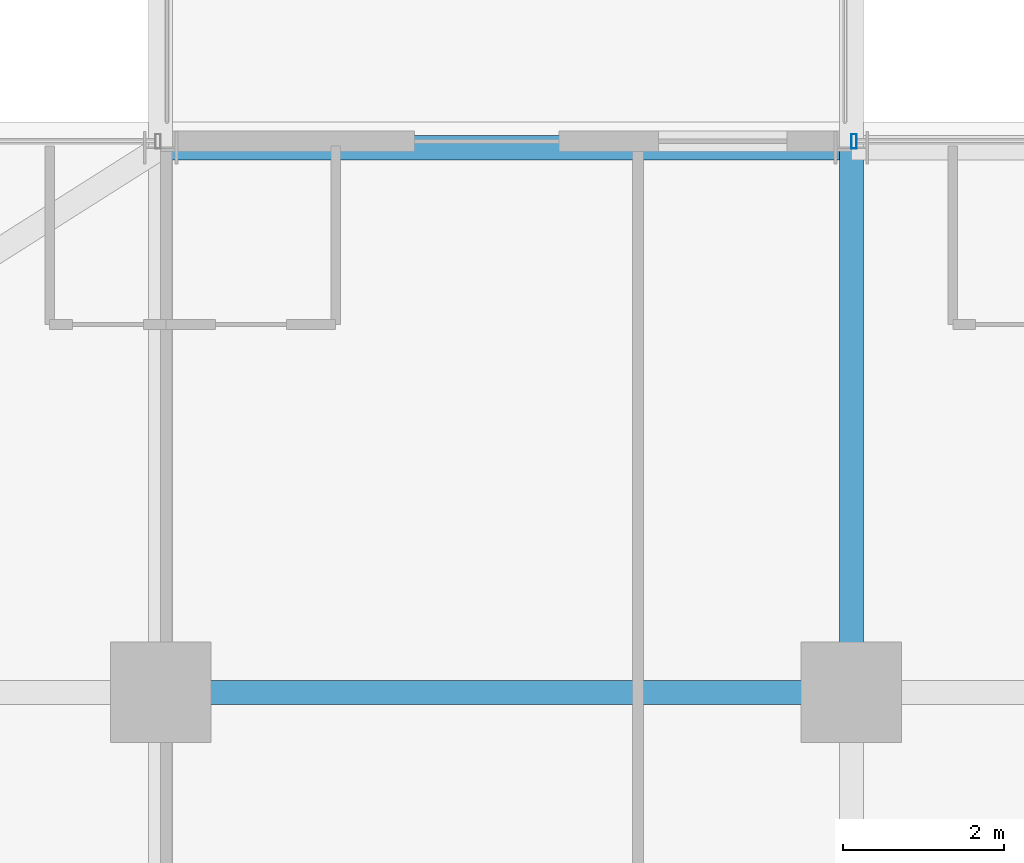
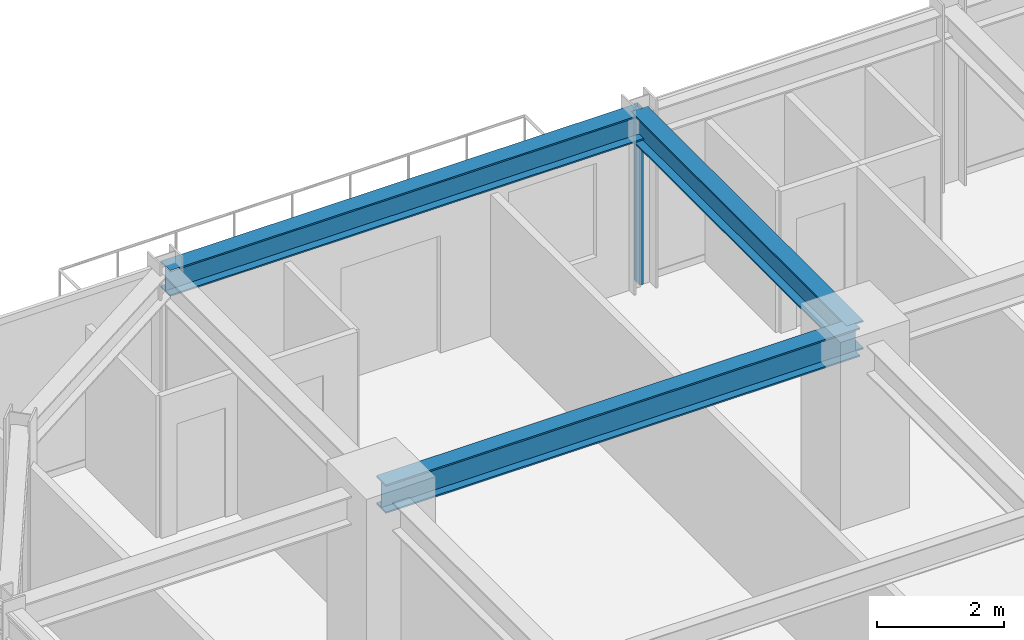
# One storey, part 19 of 34: 3 beams, 1 member, 1 element without a shape of its own.
"""IFC4 building model written with IfcOpenShell, lengths in metres."""

from ifc_helpers import new_model, si_unit, direction, frame, origin, origin_2d, place, context, subcontext, project, spatial, hollow_rectangle, i_section, extrude, source, transform, mapped, material, material_profile, profile_set, type_object, element, aggregate, save


model = new_model("IFC4")

# Units and contexts
model_context = context("Model", 3, precision=1e-05, world=origin(), true_north=direction((0.0, 1.0)))
body_context = subcontext(model_context, "Body", "Model", "MODEL_VIEW")
ifc_project = project(units=[si_unit("LENGTHUNIT", "METRE"), si_unit("AREAUNIT", "SQUARE_METRE"), si_unit("VOLUMEUNIT", "CUBIC_METRE"), si_unit("PLANEANGLEUNIT", "RADIAN"), si_unit("MASSUNIT", "GRAM", prefix="KILO")], contexts=[model_context])

# Site, building, storey
site_placement = place(None, origin())
site = spatial("IfcSite", under=ifc_project, at=site_placement, CompositionType="ELEMENT")
building_placement = place(site_placement, origin())
building = spatial("IfcBuilding", under=site, at=building_placement, Name="Nahalor Promenade Grand Hotel", CompositionType="ELEMENT")
storey_placement = place(building_placement, frame((0.0, 0.0, 99.25)))
storey = spatial("IfcBuildingStorey", under=building, at=storey_placement, Name="L24", CompositionType="ELEMENT", Elevation=99.25)

# Beams
ifc_material_1 = material(Name="Steel S355JR", Category="steel")
ifc_material_profile_1 = material_profile(ifc_material_1, i_section(OverallWidth=0.3, OverallDepth=0.5, WebThickness=0.0145, FlangeThickness=0.028, at=origin_2d()), Name="HEB 500")
ifc_profile_set_1 = profile_set([ifc_material_profile_1], Name="Steel S355JR")
beam_type_1 = type_object("IfcBeamType", Name="Beam-Spandrel-HEB500", PredefinedType="SPANDREL", material=ifc_profile_set_1)
shared_shape_1 = source(origin(), body_context, "Body", "SweptSolid", [
    extrude(i_section(OverallWidth=0.3, OverallDepth=0.5, WebThickness=0.0145, FlangeThickness=0.028, at=origin_2d()), origin(), (0.0, 0.0, 1.0), 8.60009765625),
])
beam_1_placement = place(storey_placement, frame((-17.0, 23.780029296875, 3.1298828125), z_axis=(1.0, 0.0, 0.0), x_axis=(0.0, 1.0, 0.0)))
element("IfcBeam", 1, at=beam_1_placement, inside=storey, type_object=beam_type_1, Name="BM-L24-SP-N-0", PredefinedType="SPANDREL", context=body_context, shape_type="MappedRepresentation", body=[
    mapped(shared_shape_1, transform((0.0, 0.0, 0.0), scale=1.0)),
])
ifc_material_profile_2 = material_profile(ifc_material_1, i_section(OverallWidth=0.3, OverallDepth=0.55, WebThickness=0.015, FlangeThickness=0.029, at=origin_2d()), Name="HEB 550")
ifc_profile_set_2 = profile_set([ifc_material_profile_2], Name="Steel S355JR")
beam_type_2 = type_object("IfcBeamType", Name="Beam-Girder-HEB550", PredefinedType="BEAM", material=ifc_profile_set_2)
shared_shape_2 = source(origin(), body_context, "Body", "SweptSolid", [
    extrude(i_section(OverallWidth=0.3, OverallDepth=0.55, WebThickness=0.015, FlangeThickness=0.029, at=origin_2d()), origin(), (0.0, 0.0, 1.0), 6.780029296875),
])
beam_2_placement = place(storey_placement, frame((-8.39990234375, 17.0, 3.10498046875), z_axis=(0.0, 1.0, 0.0), x_axis=(-1.0, 0.0, 0.0)))
element("IfcBeam", 2, at=beam_2_placement, inside=storey, type_object=beam_type_2, Name="BM-L24-GY-1-4", PredefinedType="BEAM", context=body_context, shape_type="MappedRepresentation", body=[
    mapped(shared_shape_2, transform((0.0, 0.0, 0.0), scale=1.0)),
])
shared_shape_3 = source(origin(), body_context, "Body", "SweptSolid", [
    extrude(i_section(OverallWidth=0.3, OverallDepth=0.55, WebThickness=0.015, FlangeThickness=0.029, at=origin_2d()), origin(), (0.0, 0.0, 1.0), 8.60009765625),
])
beam_3_placement = place(storey_placement, frame((-17.0, 17.0, 3.10498046875), z_axis=(1.0, 0.0, 0.0), x_axis=(0.0, 1.0, 0.0)))
element("IfcBeam", 3, at=beam_3_placement, inside=storey, type_object=beam_type_2, Name="BM-L24-GX-3-1", PredefinedType="BEAM", context=body_context, shape_type="MappedRepresentation", body=[
    mapped(shared_shape_3, transform((0.0, 0.0, 0.0), scale=1.0)),
])

# Curtain wall, member
ifc_material_2 = material(Name="Anodised Bronze Aluminium EN AW-6063 T6", Category="aluminium")
curtain_wall_type = type_object("IfcCurtainWallType", Name="CW2 Typical Hotel Flush Bronze Unitised Curtain Wall", PredefinedType="USERDEFINED", material=ifc_material_2)
curtain_wall_placement = place(storey_placement, origin())
curtain_wall = element("IfcCurtainWall", 4, at=curtain_wall_placement, inside=storey, type_object=curtain_wall_type, Name="L24 Curtain Wall CW-L24-N-3", ObjectType="UNITISED_CURTAIN_WALL", PredefinedType="USERDEFINED")
ifc_material_profile_3 = material_profile(ifc_material_2, hollow_rectangle(XDim=0.065, YDim=0.18, WallThickness=0.004, at=origin_2d()), Name="CWM 65x180x4")
ifc_profile_set_3 = profile_set([ifc_material_profile_3], Name="Anodised Bronze Aluminium EN AW-6063 T6")
member_type = type_object("IfcMemberType", Name="CWM2 Typical Bronze Mullion 65x180", PredefinedType="MULLION", material=ifc_profile_set_3)
shared_shape_4 = source(origin(), body_context, "Body", "SweptSolid", [
    extrude(hollow_rectangle(XDim=0.065, YDim=0.18, WallThickness=0.004, at=origin_2d()), origin(), (0.0, 0.0, 1.0), 3.3798828125),
])
member_placement = place(storey_placement, frame((-8.367431640625, 23.860107421875, 0.0), z_axis=(0.0, 0.0, 1.0), x_axis=(1.0, 0.0, 0.0)))
member = element("IfcMember", 5, at=member_placement, type_object=member_type, Name="CW-L24-N-3 Mullion 0", PredefinedType="MULLION", context=body_context, shape_type="MappedRepresentation", body=[
    mapped(shared_shape_4, transform((0.0, 0.0, 0.0), scale=1.0)),
])
aggregate(curtain_wall, [member])

save(model, "model.ifc")
